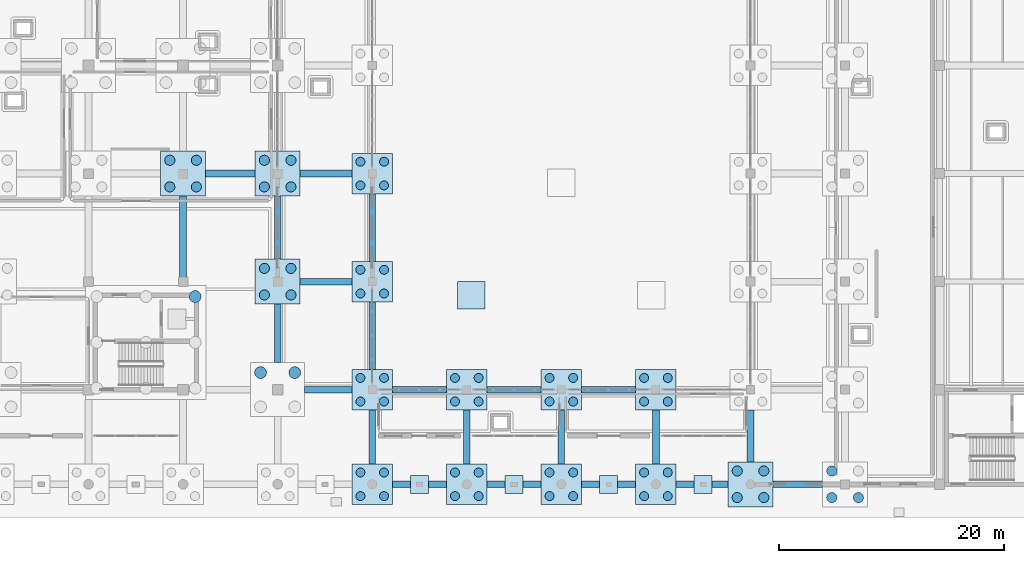
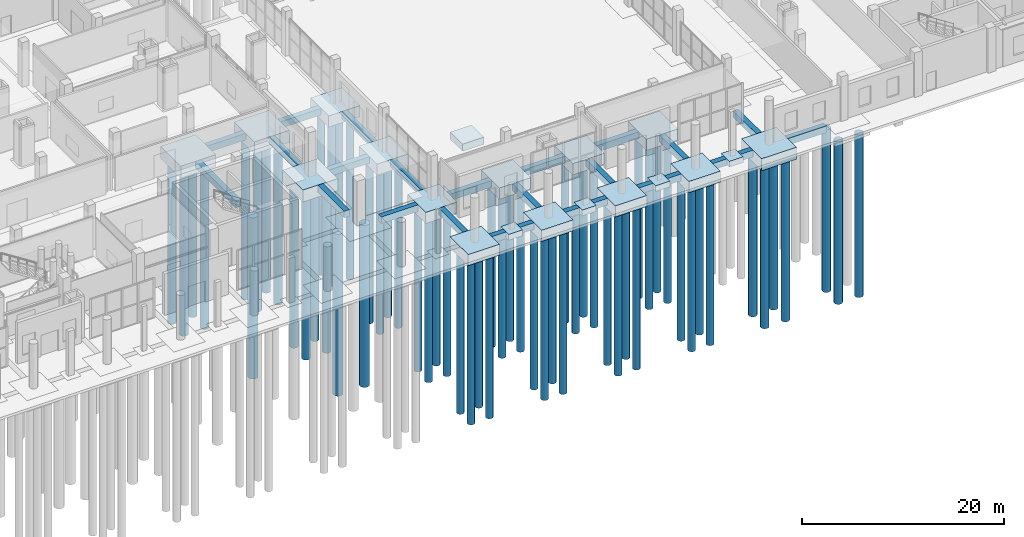
# One storey, part 4 of 65: 62 piles, 41 footings.
"""IFC4 building model written with IfcOpenShell, lengths in metres."""

import ifcopenshell
import ifcopenshell.guid

model = None  # the IFC model being written
_history = None  # IfcOwnerHistory: only IFC2X3 demands one
_inside = {}  # id of a spatial element -> (the spatial element, [elements in it])
_under = {}  # id of a project, library or spatial element -> (it, [spatial elements below it])
_declared = {}  # id of a project -> (the project, [libraries it declares])
_typed = {}  # id of a type object -> (the type object, [elements of that type])
_made_of = {}  # id of a material, layer set ... -> (it, [elements and type objects made of it])


def new_model(schema):
    """Start an empty IFC model of exactly this schema.

    Asked for "IFC4X3", IfcOpenShell would pick the latest addendum, in which some entities
    have other attributes; the version numbers below select the first issue.
    IFC2X3 requires an IfcOwnerHistory on every rooted entity: one is made here for all.
    """
    global model, _history
    if schema == "IFC4X3":
        model = ifcopenshell.file(schema_version=(4, 3, 0, 0))
    else:
        model = ifcopenshell.file(schema=schema)
    _inside.clear()
    _under.clear()
    _declared.clear()
    _typed.clear()
    _made_of.clear()
    _history = None
    if model.schema == "IFC2X3":
        org = make("IfcOrganization", Name="unknown")
        user = make(
            "IfcPersonAndOrganization",
            ThePerson=make("IfcPerson", FamilyName="unknown"),
            TheOrganization=org,
        )
        app = make(
            "IfcApplication",
            ApplicationDeveloper=org,
            Version="unknown",
            ApplicationFullName="unknown",
            ApplicationIdentifier="unknown",
        )
        _history = make(
            "IfcOwnerHistory",
            OwningUser=user,
            OwningApplication=app,
            ChangeAction="ADDED",
            CreationDate=0,
        )
    return model


def make(cls, **values):
    """One entity of the class cls with the attributes given. An attribute that is None is left unset."""
    return model.create_entity(
        cls, **{name: value for name, value in values.items() if value is not None}
    )


def rooted(cls, **values):
    """An entity with a GlobalId (a new one), such as an element, a storey or a relation."""
    return make(cls, GlobalId=ifcopenshell.guid.new(), OwnerHistory=_history, **values)


def si_unit(unit_type, name, prefix=None):
    """IfcSIUnit, for example si_unit("LENGTHUNIT", "METRE", prefix="MILLI")."""
    return make("IfcSIUnit", UnitType=unit_type, Prefix=prefix, Name=name)


def assignment(units):
    """IfcUnitAssignment: the units of a project."""
    return None if units is None else make("IfcUnitAssignment", Units=units)


def point(xyz):
    """IfcCartesianPoint."""
    return None if xyz is None else make("IfcCartesianPoint", Coordinates=xyz)


def direction(xyz):
    """IfcDirection."""
    return None if xyz is None else make("IfcDirection", DirectionRatios=xyz)


def frame(location, z_axis=None, x_axis=None):
    """IfcAxis2Placement3D, a coordinate frame: its origin and axes. An axis left out is left unset."""
    return make(
        "IfcAxis2Placement3D",
        Location=point(location),
        Axis=direction(z_axis),
        RefDirection=direction(x_axis),
    )


def frame_2d(location, x_axis=None):
    """IfcAxis2Placement2D, a coordinate frame in the plane: its origin and x axis."""
    return make(
        "IfcAxis2Placement2D", Location=point(location), RefDirection=direction(x_axis)
    )


def origin():
    """The frame at (0, 0, 0) with its axes left unset."""
    return frame((0.0, 0.0, 0.0))


def origin_2d():
    """The frame at (0, 0) in the plane with its x axis left unset."""
    return frame_2d((0.0, 0.0))


def place(relative_to, where):
    """IfcLocalPlacement: puts the frame where relative to a parent placement (None: the world)."""
    return make(
        "IfcLocalPlacement", PlacementRelTo=relative_to, RelativePlacement=where
    )


def context(
    kind, dimensions, precision=None, world=None, true_north=None, identifier=None
):
    """IfcGeometricRepresentationContext, for example the 3D "Model" context."""
    return make(
        "IfcGeometricRepresentationContext",
        ContextIdentifier=identifier,
        ContextType=kind,
        CoordinateSpaceDimension=dimensions,
        Precision=precision,
        WorldCoordinateSystem=world,
        TrueNorth=true_north,
    )


def subcontext(parent, identifier, kind, view, scale=None):
    """IfcGeometricRepresentationSubContext, for example "Body" below "Model"."""
    return make(
        "IfcGeometricRepresentationSubContext",
        ContextIdentifier=identifier,
        ContextType=kind,
        ParentContext=parent,
        TargetScale=scale,
        TargetView=view,
    )


def project(units=None, contexts=None):
    """IfcProject with its units and contexts."""
    return rooted(
        "IfcProject",
        Name="project",
        RepresentationContexts=contexts,
        UnitsInContext=assignment(units),
    )


def spatial(cls, under=None, at=None, **own):
    """A site, building, storey or space (cls), placed at a placement, below another one or the project."""
    s = rooted(cls, ObjectPlacement=at, **own)
    if under is not None:
        _under.setdefault(under.id(), (under, []))[1].append(s)
    return s


def polyline(points):
    """IfcPolyline through the points."""
    return make("IfcPolyline", Points=[point(p) for p in points])


def profile(cls, at=None, kind="AREA", **sizes):
    """A parametric profile (cls). Its sizes go by their IFC names, for example OverallWidth=200.0."""
    return make(cls, ProfileType=kind, Position=at, **sizes)


def circle(**sizes):
    """IfcCircleProfileDef."""
    return profile("IfcCircleProfileDef", **sizes)


def outline(outer, holes=None, kind="AREA"):
    """IfcArbitraryClosedProfileDef: a profile drawn as a closed curve; with holes, ...WithVoids."""
    if holes is None:
        return make("IfcArbitraryClosedProfileDef", ProfileType=kind, OuterCurve=outer)
    return make(
        "IfcArbitraryProfileDefWithVoids",
        ProfileType=kind,
        OuterCurve=outer,
        InnerCurves=holes,
    )


def extrude(swept, where, along, depth):
    """IfcExtrudedAreaSolid: the profile swept, set in the frame where, extruded along a direction by depth."""
    return make(
        "IfcExtrudedAreaSolid",
        SweptArea=swept,
        Position=where,
        ExtrudedDirection=direction(along),
        Depth=depth,
    )


def shape(context_of_items, identifier, shape_type, items):
    """IfcShapeRepresentation: the items that make up one representation, for example the "Body"."""
    return make(
        "IfcShapeRepresentation",
        ContextOfItems=context_of_items,
        RepresentationIdentifier=identifier,
        RepresentationType=shape_type,
        Items=items,
    )


def material(Name=None, Category=None):
    """IfcMaterial."""
    return make("IfcMaterial", Name=Name, Category=Category)


def layer(
    of_material, thickness, ventilated=None, Name=None, Category=None, Priority=None
):
    """IfcMaterialLayer: one layer of a wall or slab, of a material (None: an air gap)."""
    return make(
        "IfcMaterialLayer",
        Material=of_material,
        LayerThickness=thickness,
        IsVentilated=ventilated,
        Name=Name,
        Category=Category,
        Priority=Priority,
    )


def layer_set(layers, Name=None):
    """IfcMaterialLayerSet."""
    return make("IfcMaterialLayerSet", MaterialLayers=layers, LayerSetName=Name)


def material_profile(
    of_material, cross_section, Name=None, Category=None, Priority=None
):
    """IfcMaterialProfile: a cross section and its material."""
    return make(
        "IfcMaterialProfile",
        Name=Name,
        Material=of_material,
        Profile=cross_section,
        Priority=Priority,
        Category=Category,
    )


def profile_set(profiles, Name=None, composite=None):
    """IfcMaterialProfileSet."""
    return make(
        "IfcMaterialProfileSet",
        Name=Name,
        MaterialProfiles=profiles,
        CompositeProfile=composite,
    )


def made_of(thing, what):
    """Note that an element or type object is made of a material, layer set ...; save() writes the relation."""
    if what is not None:
        _made_of.setdefault(what.id(), (what, []))[1].append(thing)
    return thing


def type_object(cls, material=None, **own):
    """A type object (cls), such as IfcWallType, which elements share."""
    return made_of(rooted(cls, **own), material)


def element(
    cls,
    number,
    at=None,
    inside=None,
    cuts=None,
    type_object=None,
    material=None,
    context=None,
    identifier="Body",
    shape_type=None,
    held_by="IfcProductDefinitionShape",
    body=None,
    shapes=None,
    **own,
):
    """One element of the class cls, such as IfcWall. Its Tag is "e" and its number.

    at: its placement. inside: the storey or other place that contains it. cuts: it is an
    opening in that element (IfcRelVoidsElement). A single representation is given by context,
    identifier, shape_type and body (its items); several are given by shapes. held_by: the class
    of the entity that holds the representations. save() writes the other relations.
    """
    e = rooted(cls, Tag="e%d" % number, ObjectPlacement=at, **own)
    if body is not None:
        shapes = [shape(context, identifier, shape_type, body)]
    if shapes is not None:
        e.Representation = make(held_by, Representations=shapes)
    if inside is not None:
        _inside.setdefault(inside.id(), (inside, []))[1].append(e)
    if cuts is not None:
        rooted(
            "IfcRelVoidsElement", RelatingBuildingElement=cuts, RelatedOpeningElement=e
        )
    if type_object is not None:
        _typed.setdefault(type_object.id(), (type_object, []))[1].append(e)
    return made_of(e, material)


def aggregate(whole, parts):
    """IfcRelAggregates: a whole, such as a stair, and the parts it consists of."""
    return rooted("IfcRelAggregates", RelatingObject=whole, RelatedObjects=parts)


def save(model, path):
    """Write the relations noted so far, then the file.

    IfcRelAggregates (storeys below a building ...), IfcRelContainedInSpatialStructure (elements
    in a storey), IfcRelDefinesByType, IfcRelAssociatesMaterial and IfcRelDeclares: one each for
    every whole, place, type object, material and project.
    """
    for whole, parts in _under.values():
        aggregate(whole, parts)
    for where, things in _inside.values():
        rooted(
            "IfcRelContainedInSpatialStructure",
            RelatedElements=things,
            RelatingStructure=where,
        )
    for kind, things in _typed.values():
        rooted("IfcRelDefinesByType", RelatedObjects=things, RelatingType=kind)
    for what, things in _made_of.values():
        rooted("IfcRelAssociatesMaterial", RelatedObjects=things, RelatingMaterial=what)
    for by, libraries in _declared.values():
        rooted("IfcRelDeclares", RelatingContext=by, RelatedDefinitions=libraries)
    model.write(path)


model = new_model("IFC4")

# Units and contexts
model_context = context("Model", 3, precision=1e-05, world=origin(), true_north=direction((0.0, 1.0)))
body_context = subcontext(model_context, "Body", "Model", "MODEL_VIEW")
ifc_project = project(units=[si_unit("LENGTHUNIT", "METRE"), si_unit("AREAUNIT", "SQUARE_METRE"), si_unit("VOLUMEUNIT", "CUBIC_METRE"), si_unit("PLANEANGLEUNIT", "RADIAN"), si_unit("MASSUNIT", "GRAM", prefix="KILO")], contexts=[model_context])

# Site, building, storey
site_placement = place(None, origin())
site = spatial("IfcSite", under=ifc_project, at=site_placement, CompositionType="ELEMENT")
building_placement = place(site_placement, origin())
building = spatial("IfcBuilding", under=site, at=building_placement, Name="Zulmaris Art Gallery", CompositionType="ELEMENT")
storey_placement = place(building_placement, origin())
storey = spatial("IfcBuildingStorey", under=building, at=storey_placement, Name="L00", CompositionType="ELEMENT", Elevation=0.0)

# Footings
ifc_material = material(Name="Concrete C40/50", Category="concrete")
ifc_layer_1 = layer(ifc_material, 0.800048828125)
ifc_layer_set_1 = layer_set([ifc_layer_1], Name="Concrete C40/50")
footing_type_1 = type_object("IfcFootingType", Name="FTG-GB01", PredefinedType="FOOTING_BEAM", material=ifc_layer_set_1)
footing_1_placement = place(storey_placement, frame((0.0, 0.0, -0.800048828125)))
element("IfcFooting", 1, at=footing_1_placement, inside=storey, type_object=footing_type_1, Name="L00 ground tie beam X", PredefinedType="FOOTING_BEAM", context=body_context, shape_type="SweptSolid", body=[
    extrude(outline(polyline([(93.0, 12.89990234375), (97.800048828125, 12.89990234375), (97.800048828125, 13.5), (93.0, 13.5), (93.0, 12.89990234375)])), origin(), (0.0, 0.0, 1.0), 0.800048828125),
])
footing_2_placement = place(storey_placement, frame((0.0, 0.0, -0.800048828125)))
element("IfcFooting", 2, at=footing_2_placement, inside=storey, type_object=footing_type_1, Name="L00 ground tie beam X", PredefinedType="FOOTING_BEAM", context=body_context, shape_type="SweptSolid", body=[
    extrude(outline(polyline([(101.39990234375, 12.89990234375), (106.199951171875, 12.89990234375), (106.199951171875, 13.5), (101.39990234375, 13.5), (101.39990234375, 12.89990234375)])), origin(), (0.0, 0.0, 1.0), 0.800048828125),
])
footing_3_placement = place(storey_placement, frame((0.0, 0.0, -0.800048828125)))
element("IfcFooting", 3, at=footing_3_placement, inside=storey, type_object=footing_type_1, Name="L00 ground tie beam X", PredefinedType="FOOTING_BEAM", context=body_context, shape_type="SweptSolid", body=[
    extrude(outline(polyline([(109.800048828125, 12.89990234375), (114.60009765625, 12.89990234375), (114.60009765625, 13.5), (109.800048828125, 13.5), (109.800048828125, 12.89990234375)])), origin(), (0.0, 0.0, 1.0), 0.800048828125),
])
footing_4_placement = place(storey_placement, frame((0.0, 0.0, -0.800048828125)))
element("IfcFooting", 4, at=footing_4_placement, inside=storey, type_object=footing_type_1, Name="L00 ground tie beam X", PredefinedType="FOOTING_BEAM", context=body_context, shape_type="SweptSolid", body=[
    extrude(outline(polyline([(118.199951171875, 12.89990234375), (122.800048828125, 12.89990234375), (122.800048828125, 13.5), (118.199951171875, 13.5), (118.199951171875, 12.89990234375)])), origin(), (0.0, 0.0, 1.0), 0.800048828125),
])
footing_5_placement = place(storey_placement, frame((0.0, 0.0, -0.800048828125)))
element("IfcFooting", 5, at=footing_5_placement, inside=storey, type_object=footing_type_1, Name="L00 ground tie beam X", PredefinedType="FOOTING_BEAM", context=body_context, shape_type="SweptSolid", body=[
    extrude(outline(polyline([(126.800048828125, 12.89990234375), (131.199951171875, 12.89990234375), (131.199951171875, 13.5), (126.800048828125, 13.5), (126.800048828125, 12.89990234375)])), origin(), (0.0, 0.0, 1.0), 0.800048828125),
])
footing_6_placement = place(storey_placement, frame((0.0, 0.0, -0.800048828125)))
element("IfcFooting", 6, at=footing_6_placement, inside=storey, type_object=footing_type_1, Name="L00 ground tie beam X", PredefinedType="FOOTING_BEAM", context=body_context, shape_type="SweptSolid", body=[
    extrude(outline(polyline([(85.199951171875, 21.300048828125), (89.39990234375, 21.300048828125), (89.39990234375, 21.89990234375), (85.199951171875, 21.89990234375), (85.199951171875, 21.300048828125)])), origin(), (0.0, 0.0, 1.0), 0.800048828125),
])
footing_7_placement = place(storey_placement, frame((0.0, 0.0, -0.800048828125)))
element("IfcFooting", 7, at=footing_7_placement, inside=storey, type_object=footing_type_1, Name="L00 ground tie beam X", PredefinedType="FOOTING_BEAM", context=body_context, shape_type="SweptSolid", body=[
    extrude(outline(polyline([(93.0, 21.300048828125), (97.800048828125, 21.300048828125), (97.800048828125, 21.89990234375), (93.0, 21.89990234375), (93.0, 21.300048828125)])), origin(), (0.0, 0.0, 1.0), 0.800048828125),
])
footing_8_placement = place(storey_placement, frame((0.0, 0.0, -0.800048828125)))
element("IfcFooting", 8, at=footing_8_placement, inside=storey, type_object=footing_type_1, Name="L00 ground tie beam X", PredefinedType="FOOTING_BEAM", context=body_context, shape_type="SweptSolid", body=[
    extrude(outline(polyline([(101.39990234375, 21.300048828125), (106.199951171875, 21.300048828125), (106.199951171875, 21.89990234375), (101.39990234375, 21.89990234375), (101.39990234375, 21.300048828125)])), origin(), (0.0, 0.0, 1.0), 0.800048828125),
])
footing_9_placement = place(storey_placement, frame((0.0, 0.0, -0.800048828125)))
element("IfcFooting", 9, at=footing_9_placement, inside=storey, type_object=footing_type_1, Name="L00 ground tie beam X", PredefinedType="FOOTING_BEAM", context=body_context, shape_type="SweptSolid", body=[
    extrude(outline(polyline([(109.800048828125, 21.300048828125), (114.60009765625, 21.300048828125), (114.60009765625, 21.89990234375), (109.800048828125, 21.89990234375), (109.800048828125, 21.300048828125)])), origin(), (0.0, 0.0, 1.0), 0.800048828125),
])
footing_10_placement = place(storey_placement, frame((0.0, 0.0, -0.800048828125)))
element("IfcFooting", 10, at=footing_10_placement, inside=storey, type_object=footing_type_1, Name="L00 ground tie beam X", PredefinedType="FOOTING_BEAM", context=body_context, shape_type="SweptSolid", body=[
    extrude(outline(polyline([(84.800048828125, 30.89990234375), (89.39990234375, 30.89990234375), (89.39990234375, 31.5), (84.800048828125, 31.5), (84.800048828125, 30.89990234375)])), origin(), (0.0, 0.0, 1.0), 0.800048828125),
])
footing_11_placement = place(storey_placement, frame((0.0, 0.0, -0.800048828125)))
element("IfcFooting", 11, at=footing_11_placement, inside=storey, type_object=footing_type_1, Name="L00 ground tie beam X", PredefinedType="FOOTING_BEAM", context=body_context, shape_type="SweptSolid", body=[
    extrude(outline(polyline([(76.39990234375, 40.5), (80.800048828125, 40.5), (80.800048828125, 41.10009765625), (76.39990234375, 41.10009765625), (76.39990234375, 40.5)])), origin(), (0.0, 0.0, 1.0), 0.800048828125),
])
footing_12_placement = place(storey_placement, frame((0.0, 0.0, -0.800048828125)))
element("IfcFooting", 12, at=footing_12_placement, inside=storey, type_object=footing_type_1, Name="L00 ground tie beam X", PredefinedType="FOOTING_BEAM", context=body_context, shape_type="SweptSolid", body=[
    extrude(outline(polyline([(84.800048828125, 40.5), (89.39990234375, 40.5), (89.39990234375, 41.10009765625), (84.800048828125, 41.10009765625), (84.800048828125, 40.5)])), origin(), (0.0, 0.0, 1.0), 0.800048828125),
])
footing_13_placement = place(storey_placement, frame((0.0, 0.0, -0.800048828125)))
element("IfcFooting", 13, at=footing_13_placement, inside=storey, type_object=footing_type_1, Name="L00 ground tie beam Y", PredefinedType="FOOTING_BEAM", context=body_context, shape_type="SweptSolid", body=[
    extrude(outline(polyline([(74.10009765625, 30.85009765625), (74.699951171875, 30.85009765625), (74.699951171875, 38.800048828125), (74.10009765625, 38.800048828125), (74.10009765625, 30.85009765625)])), origin(), (0.0, 0.0, 1.0), 0.800048828125),
])
footing_14_placement = place(storey_placement, frame((0.0, 0.0, -0.800048828125)))
element("IfcFooting", 14, at=footing_14_placement, inside=storey, type_object=footing_type_1, Name="L00 ground tie beam Y", PredefinedType="FOOTING_BEAM", context=body_context, shape_type="SweptSolid", body=[
    extrude(outline(polyline([(82.5, 24.0), (83.10009765625, 24.0), (83.10009765625, 29.199951171875), (82.5, 29.199951171875), (82.5, 24.0)])), origin(), (0.0, 0.0, 1.0), 0.800048828125),
])
footing_15_placement = place(storey_placement, frame((0.0, 0.0, -0.800048828125)))
element("IfcFooting", 15, at=footing_15_placement, inside=storey, type_object=footing_type_1, Name="L00 ground tie beam Y", PredefinedType="FOOTING_BEAM", context=body_context, shape_type="SweptSolid", body=[
    extrude(outline(polyline([(82.5, 33.199951171875), (83.10009765625, 33.199951171875), (83.10009765625, 38.800048828125), (82.5, 38.800048828125), (82.5, 33.199951171875)])), origin(), (0.0, 0.0, 1.0), 0.800048828125),
])
footing_16_placement = place(storey_placement, frame((0.0, 0.0, -0.800048828125)))
element("IfcFooting", 16, at=footing_16_placement, inside=storey, type_object=footing_type_1, Name="L00 ground tie beam Y", PredefinedType="FOOTING_BEAM", context=body_context, shape_type="SweptSolid", body=[
    extrude(outline(polyline([(90.89990234375, 15.0), (91.5, 15.0), (91.5, 19.800048828125), (90.89990234375, 19.800048828125), (90.89990234375, 15.0)])), origin(), (0.0, 0.0, 1.0), 0.800048828125),
])
footing_17_placement = place(storey_placement, frame((0.0, 0.0, -0.800048828125)))
element("IfcFooting", 17, at=footing_17_placement, inside=storey, type_object=footing_type_1, Name="L00 ground tie beam Y", PredefinedType="FOOTING_BEAM", context=body_context, shape_type="SweptSolid", body=[
    extrude(outline(polyline([(90.89990234375, 23.39990234375), (91.5, 23.39990234375), (91.5, 29.39990234375), (90.89990234375, 29.39990234375), (90.89990234375, 23.39990234375)])), origin(), (0.0, 0.0, 1.0), 0.800048828125),
])
footing_18_placement = place(storey_placement, frame((0.0, 0.0, -0.800048828125)))
element("IfcFooting", 18, at=footing_18_placement, inside=storey, type_object=footing_type_1, Name="L00 ground tie beam Y", PredefinedType="FOOTING_BEAM", context=body_context, shape_type="SweptSolid", body=[
    extrude(outline(polyline([(90.89990234375, 33.0), (91.5, 33.0), (91.5, 39.0), (90.89990234375, 39.0), (90.89990234375, 33.0)])), origin(), (0.0, 0.0, 1.0), 0.800048828125),
])
footing_19_placement = place(storey_placement, frame((0.0, 0.0, -0.800048828125)))
element("IfcFooting", 19, at=footing_19_placement, inside=storey, type_object=footing_type_1, Name="L00 ground tie beam Y", PredefinedType="FOOTING_BEAM", context=body_context, shape_type="SweptSolid", body=[
    extrude(outline(polyline([(99.300048828125, 15.0), (99.89990234375, 15.0), (99.89990234375, 19.800048828125), (99.300048828125, 19.800048828125), (99.300048828125, 15.0)])), origin(), (0.0, 0.0, 1.0), 0.800048828125),
])
footing_20_placement = place(storey_placement, frame((0.0, 0.0, -0.800048828125)))
element("IfcFooting", 20, at=footing_20_placement, inside=storey, type_object=footing_type_1, Name="L00 ground tie beam Y", PredefinedType="FOOTING_BEAM", context=body_context, shape_type="SweptSolid", body=[
    extrude(outline(polyline([(107.699951171875, 15.0), (108.300048828125, 15.0), (108.300048828125, 19.800048828125), (107.699951171875, 19.800048828125), (107.699951171875, 15.0)])), origin(), (0.0, 0.0, 1.0), 0.800048828125),
])
footing_21_placement = place(storey_placement, frame((0.0, 0.0, -0.800048828125)))
element("IfcFooting", 21, at=footing_21_placement, inside=storey, type_object=footing_type_1, Name="L00 ground tie beam Y", PredefinedType="FOOTING_BEAM", context=body_context, shape_type="SweptSolid", body=[
    extrude(outline(polyline([(116.10009765625, 15.0), (116.699951171875, 15.0), (116.699951171875, 19.800048828125), (116.10009765625, 19.800048828125), (116.10009765625, 15.0)])), origin(), (0.0, 0.0, 1.0), 0.800048828125),
])
footing_22_placement = place(storey_placement, frame((0.0, 0.0, -0.800048828125)))
element("IfcFooting", 22, at=footing_22_placement, inside=storey, type_object=footing_type_1, Name="L00 ground tie beam Y", PredefinedType="FOOTING_BEAM", context=body_context, shape_type="SweptSolid", body=[
    extrude(outline(polyline([(124.5, 15.199951171875), (125.10009765625, 15.199951171875), (125.10009765625, 19.800048828125), (124.5, 19.800048828125), (124.5, 15.199951171875)])), origin(), (0.0, 0.0, 1.0), 0.800048828125),
])
ifc_layer_2 = layer(ifc_material, 0.699951171875)
ifc_layer_set_2 = layer_set([ifc_layer_2], Name="Concrete C40/50")
footing_type_2 = type_object("IfcFootingType", Name="FTG-PAD01", PredefinedType="PAD_FOOTING", material=ifc_layer_set_2)
footing_23_placement = place(storey_placement, frame((0.0, 0.0, -0.699951171875)))
element("IfcFooting", 23, at=footing_23_placement, inside=storey, type_object=footing_type_2, Name="Colonnade pilaster footing 8", PredefinedType="PAD_FOOTING", context=body_context, shape_type="SweptSolid", body=[
    extrude(outline(polyline([(94.60009765625, 12.39990234375), (96.199951171875, 12.39990234375), (96.199951171875, 14.0), (94.60009765625, 14.0), (94.60009765625, 12.39990234375)])), origin(), (0.0, 0.0, 1.0), 0.699951171875),
])
footing_24_placement = place(storey_placement, frame((0.0, 0.0, -0.699951171875)))
element("IfcFooting", 24, at=footing_24_placement, inside=storey, type_object=footing_type_2, Name="Colonnade pilaster footing 9", PredefinedType="PAD_FOOTING", context=body_context, shape_type="SweptSolid", body=[
    extrude(outline(polyline([(103.0, 12.39990234375), (104.60009765625, 12.39990234375), (104.60009765625, 14.0), (103.0, 14.0), (103.0, 12.39990234375)])), origin(), (0.0, 0.0, 1.0), 0.699951171875),
])
footing_25_placement = place(storey_placement, frame((0.0, 0.0, -0.699951171875)))
element("IfcFooting", 25, at=footing_25_placement, inside=storey, type_object=footing_type_2, Name="Colonnade pilaster footing 10", PredefinedType="PAD_FOOTING", context=body_context, shape_type="SweptSolid", body=[
    extrude(outline(polyline([(111.39990234375, 12.39990234375), (113.0, 12.39990234375), (113.0, 14.0), (111.39990234375, 14.0), (111.39990234375, 12.39990234375)])), origin(), (0.0, 0.0, 1.0), 0.699951171875),
])
footing_26_placement = place(storey_placement, frame((0.0, 0.0, -0.699951171875)))
element("IfcFooting", 26, at=footing_26_placement, inside=storey, type_object=footing_type_2, Name="Colonnade pilaster footing 11", PredefinedType="PAD_FOOTING", context=body_context, shape_type="SweptSolid", body=[
    extrude(outline(polyline([(119.800048828125, 12.39990234375), (121.39990234375, 12.39990234375), (121.39990234375, 14.0), (119.800048828125, 14.0), (119.800048828125, 12.39990234375)])), origin(), (0.0, 0.0, 1.0), 0.699951171875),
])
ifc_layer_3 = layer(ifc_material, 0.85009765625)
ifc_layer_set_3 = layer_set([ifc_layer_3], Name="Concrete C40/50")
footing_type_3 = type_object("IfcFootingType", Name="FTG-PAD04", PredefinedType="PAD_FOOTING", material=ifc_layer_set_3)
footing_27_placement = place(storey_placement, frame((0.0, 0.0, -1.35009765625)))
element("IfcFooting", 27, at=footing_27_placement, inside=storey, type_object=footing_type_3, Name="Sculpture plinth pad footing 6", PredefinedType="PAD_FOOTING", context=body_context, shape_type="SweptSolid", body=[
    extrude(outline(polyline([(98.77490234375, 28.77490234375), (101.22509765625, 28.77490234375), (101.22509765625, 31.22509765625), (98.77490234375, 31.22509765625), (98.77490234375, 28.77490234375)])), origin(), (0.0, 0.0, 1.0), 0.85009765625),
])
ifc_layer_4 = layer(ifc_material, 1.35009765625)
ifc_layer_set_4 = layer_set([ifc_layer_4], Name="Concrete C40/50")
footing_type_4 = type_object("IfcFootingType", Name="FTG-PC01", PredefinedType="PILE_CAP", material=ifc_layer_set_4)
footing_28_placement = place(storey_placement, frame((0.0, 0.0, -1.35009765625)))
element("IfcFooting", 28, at=footing_28_placement, inside=storey, type_object=footing_type_4, Name="L00 pile cap PC01 at (91.2, 13.2)", PredefinedType="PILE_CAP", context=body_context, shape_type="SweptSolid", body=[
    extrude(outline(polyline([(89.39990234375, 11.39990234375), (93.0, 11.39990234375), (93.0, 15.0), (89.39990234375, 15.0), (89.39990234375, 11.39990234375)])), origin(), (0.0, 0.0, 1.0), 1.35009765625),
])
footing_29_placement = place(storey_placement, frame((0.0, 0.0, -1.35009765625)))
element("IfcFooting", 29, at=footing_29_placement, inside=storey, type_object=footing_type_4, Name="L00 pile cap PC01 at (91.2, 21.6)", PredefinedType="PILE_CAP", context=body_context, shape_type="SweptSolid", body=[
    extrude(outline(polyline([(89.39990234375, 19.800048828125), (93.0, 19.800048828125), (93.0, 23.39990234375), (89.39990234375, 23.39990234375), (89.39990234375, 19.800048828125)])), origin(), (0.0, 0.0, 1.0), 1.35009765625),
])
footing_30_placement = place(storey_placement, frame((0.0, 0.0, -1.35009765625)))
element("IfcFooting", 30, at=footing_30_placement, inside=storey, type_object=footing_type_4, Name="L00 pile cap PC01 at (91.2, 31.2)", PredefinedType="PILE_CAP", context=body_context, shape_type="SweptSolid", body=[
    extrude(outline(polyline([(89.39990234375, 29.39990234375), (93.0, 29.39990234375), (93.0, 33.0), (89.39990234375, 33.0), (89.39990234375, 29.39990234375)])), origin(), (0.0, 0.0, 1.0), 1.35009765625),
])
footing_31_placement = place(storey_placement, frame((0.0, 0.0, -1.35009765625)))
element("IfcFooting", 31, at=footing_31_placement, inside=storey, type_object=footing_type_4, Name="L00 pile cap PC01 at (91.2, 40.8)", PredefinedType="PILE_CAP", context=body_context, shape_type="SweptSolid", body=[
    extrude(outline(polyline([(89.39990234375, 39.0), (93.0, 39.0), (93.0, 42.60009765625), (89.39990234375, 42.60009765625), (89.39990234375, 39.0)])), origin(), (0.0, 0.0, 1.0), 1.35009765625),
])
footing_32_placement = place(storey_placement, frame((0.0, 0.0, -1.35009765625)))
element("IfcFooting", 32, at=footing_32_placement, inside=storey, type_object=footing_type_4, Name="L00 pile cap PC01 at (99.6, 13.2)", PredefinedType="PILE_CAP", context=body_context, shape_type="SweptSolid", body=[
    extrude(outline(polyline([(97.800048828125, 11.39990234375), (101.39990234375, 11.39990234375), (101.39990234375, 15.0), (97.800048828125, 15.0), (97.800048828125, 11.39990234375)])), origin(), (0.0, 0.0, 1.0), 1.35009765625),
])
footing_33_placement = place(storey_placement, frame((0.0, 0.0, -1.35009765625)))
element("IfcFooting", 33, at=footing_33_placement, inside=storey, type_object=footing_type_4, Name="L00 pile cap PC01 at (99.6, 21.6)", PredefinedType="PILE_CAP", context=body_context, shape_type="SweptSolid", body=[
    extrude(outline(polyline([(97.800048828125, 19.800048828125), (101.39990234375, 19.800048828125), (101.39990234375, 23.39990234375), (97.800048828125, 23.39990234375), (97.800048828125, 19.800048828125)])), origin(), (0.0, 0.0, 1.0), 1.35009765625),
])
footing_34_placement = place(storey_placement, frame((0.0, 0.0, -1.35009765625)))
element("IfcFooting", 34, at=footing_34_placement, inside=storey, type_object=footing_type_4, Name="L00 pile cap PC01 at (108.0, 13.2)", PredefinedType="PILE_CAP", context=body_context, shape_type="SweptSolid", body=[
    extrude(outline(polyline([(106.199951171875, 11.39990234375), (109.800048828125, 11.39990234375), (109.800048828125, 15.0), (106.199951171875, 15.0), (106.199951171875, 11.39990234375)])), origin(), (0.0, 0.0, 1.0), 1.35009765625),
])
footing_35_placement = place(storey_placement, frame((0.0, 0.0, -1.35009765625)))
element("IfcFooting", 35, at=footing_35_placement, inside=storey, type_object=footing_type_4, Name="L00 pile cap PC01 at (108.0, 21.6)", PredefinedType="PILE_CAP", context=body_context, shape_type="SweptSolid", body=[
    extrude(outline(polyline([(106.199951171875, 19.800048828125), (109.800048828125, 19.800048828125), (109.800048828125, 23.39990234375), (106.199951171875, 23.39990234375), (106.199951171875, 19.800048828125)])), origin(), (0.0, 0.0, 1.0), 1.35009765625),
])
footing_36_placement = place(storey_placement, frame((0.0, 0.0, -1.35009765625)))
element("IfcFooting", 36, at=footing_36_placement, inside=storey, type_object=footing_type_4, Name="L00 pile cap PC01 at (116.4, 13.2)", PredefinedType="PILE_CAP", context=body_context, shape_type="SweptSolid", body=[
    extrude(outline(polyline([(114.60009765625, 11.39990234375), (118.199951171875, 11.39990234375), (118.199951171875, 15.0), (114.60009765625, 15.0), (114.60009765625, 11.39990234375)])), origin(), (0.0, 0.0, 1.0), 1.35009765625),
])
footing_37_placement = place(storey_placement, frame((0.0, 0.0, -1.35009765625)))
element("IfcFooting", 37, at=footing_37_placement, inside=storey, type_object=footing_type_4, Name="L00 pile cap PC01 at (116.4, 21.6)", PredefinedType="PILE_CAP", context=body_context, shape_type="SweptSolid", body=[
    extrude(outline(polyline([(114.60009765625, 19.800048828125), (118.199951171875, 19.800048828125), (118.199951171875, 23.39990234375), (114.60009765625, 23.39990234375), (114.60009765625, 19.800048828125)])), origin(), (0.0, 0.0, 1.0), 1.35009765625),
])
ifc_layer_5 = layer(ifc_material, 1.449951171875)
ifc_layer_set_5 = layer_set([ifc_layer_5], Name="Concrete C40/50")
footing_type_5 = type_object("IfcFootingType", Name="FTG-PC02", PredefinedType="PILE_CAP", material=ifc_layer_set_5)
footing_38_placement = place(storey_placement, frame((0.0, 0.0, -1.449951171875)))
element("IfcFooting", 38, at=footing_38_placement, inside=storey, type_object=footing_type_5, Name="L00 pile cap PC02 at (74.4, 40.8)", PredefinedType="PILE_CAP", context=body_context, shape_type="SweptSolid", body=[
    extrude(outline(polyline([(72.39990234375, 38.800048828125), (76.39990234375, 38.800048828125), (76.39990234375, 42.800048828125), (72.39990234375, 42.800048828125), (72.39990234375, 38.800048828125)])), origin(), (0.0, 0.0, 1.0), 1.449951171875),
])
footing_39_placement = place(storey_placement, frame((0.0, 0.0, -1.449951171875)))
element("IfcFooting", 39, at=footing_39_placement, inside=storey, type_object=footing_type_5, Name="L00 pile cap PC02 at (82.8, 31.2)", PredefinedType="PILE_CAP", context=body_context, shape_type="SweptSolid", body=[
    extrude(outline(polyline([(80.800048828125, 29.199951171875), (84.800048828125, 29.199951171875), (84.800048828125, 33.199951171875), (80.800048828125, 33.199951171875), (80.800048828125, 29.199951171875)])), origin(), (0.0, 0.0, 1.0), 1.449951171875),
])
footing_40_placement = place(storey_placement, frame((0.0, 0.0, -1.449951171875)))
element("IfcFooting", 40, at=footing_40_placement, inside=storey, type_object=footing_type_5, Name="L00 pile cap PC02 at (82.8, 40.8)", PredefinedType="PILE_CAP", context=body_context, shape_type="SweptSolid", body=[
    extrude(outline(polyline([(80.800048828125, 38.800048828125), (84.800048828125, 38.800048828125), (84.800048828125, 42.800048828125), (80.800048828125, 42.800048828125), (80.800048828125, 38.800048828125)])), origin(), (0.0, 0.0, 1.0), 1.449951171875),
])
footing_41_placement = place(storey_placement, frame((0.0, 0.0, -1.449951171875)))
element("IfcFooting", 41, at=footing_41_placement, inside=storey, type_object=footing_type_5, Name="L00 pile cap PC02 at (124.8, 13.2)", PredefinedType="PILE_CAP", context=body_context, shape_type="SweptSolid", body=[
    extrude(outline(polyline([(122.800048828125, 11.199951171875), (126.800048828125, 11.199951171875), (126.800048828125, 15.199951171875), (122.800048828125, 15.199951171875), (122.800048828125, 11.199951171875)])), origin(), (0.0, 0.0, 1.0), 1.449951171875),
])

# Piles
ifc_material_profile_1 = material_profile(ifc_material, circle(Radius=0.52490234375, at=origin_2d()), Name="PILE DIA 1050")
ifc_profile_set_1 = profile_set([ifc_material_profile_1], Name="Concrete C40/50")
pile_type_1 = type_object("IfcPileType", Name="PILE-1050", PredefinedType="BORED", material=ifc_profile_set_1)
pile_placement = place(storey_placement, frame((75.47509765625, 29.875, -1.530029296875), z_axis=(0.0, 0.0, -1.0), x_axis=(1.0, 0.0, 0.0)))
element("IfcPile", 42, at=pile_placement, inside=storey, type_object=pile_type_1, Name="Core C2 bored pile 9", PredefinedType="BORED", context=body_context, shape_type="SweptSolid", body=[
    extrude(circle(Radius=0.52490234375, at=origin_2d()), origin(), (0.0, 0.0, 1.0), 19.469970703125),
])
for number, where, z_axis, x_axis, name in (
    (43, (81.280029296875, 23.1201171875, -1.449951171875), (0.0, 0.0, -1.0), (1.0, 0.0, 0.0), "L00 bored pile 3 under FTG-CAP-L00-0828-216"),
    (44, (84.320068359375, 23.1201171875, -1.449951171875), (0.0, 0.0, -1.0), (1.0, 0.0, 0.0), "L00 bored pile 4 under FTG-CAP-L00-0828-216"),
):
    element("IfcPile", number, at=place(storey_placement, frame(where, z_axis=z_axis, x_axis=x_axis)), inside=storey, type_object=pile_type_1, Name=name, PredefinedType="BORED", context=body_context, shape_type="SweptSolid", body=[
        extrude(circle(Radius=0.52490234375, at=origin_2d()), origin(), (0.0, 0.0, 1.0), 19.550048828125),
    ])
ifc_material_profile_2 = material_profile(ifc_material, circle(Radius=0.39990234375, at=origin_2d()), Name="PILE DIA 800")
ifc_profile_set_2 = profile_set([ifc_material_profile_2], Name="Concrete C40/50")
pile_type_2 = type_object("IfcPileType", Name="PILE-800", PredefinedType="BORED", material=ifc_profile_set_2)
for number, where, z_axis, x_axis, name in (
    (45, (90.14990234375, 12.14990234375, -1.25), (0.0, 0.0, -1.0), (1.0, 0.0, 0.0), "L00 bored pile 1 under FTG-CAP-L00-0912-132"),
    (46, (92.25, 12.14990234375, -1.25), (0.0, 0.0, -1.0), (1.0, 0.0, 0.0), "L00 bored pile 2 under FTG-CAP-L00-0912-132"),
    (47, (90.14990234375, 14.25, -1.25), (0.0, 0.0, -1.0), (1.0, 0.0, 0.0), "L00 bored pile 3 under FTG-CAP-L00-0912-132"),
    (48, (92.25, 14.25, -1.25), (0.0, 0.0, -1.0), (1.0, 0.0, 0.0), "L00 bored pile 4 under FTG-CAP-L00-0912-132"),
    (49, (90.14990234375, 20.550048828125, -1.25), (0.0, 0.0, -1.0), (1.0, 0.0, 0.0), "L00 bored pile 1 under FTG-CAP-L00-0912-216"),
    (50, (92.25, 20.550048828125, -1.25), (0.0, 0.0, -1.0), (1.0, 0.0, 0.0), "L00 bored pile 2 under FTG-CAP-L00-0912-216"),
    (51, (90.14990234375, 22.64990234375, -1.25), (0.0, 0.0, -1.0), (1.0, 0.0, 0.0), "L00 bored pile 3 under FTG-CAP-L00-0912-216"),
    (52, (92.25, 22.64990234375, -1.25), (0.0, 0.0, -1.0), (1.0, 0.0, 0.0), "L00 bored pile 4 under FTG-CAP-L00-0912-216"),
    (53, (90.14990234375, 30.14990234375, -1.25), (0.0, 0.0, -1.0), (1.0, 0.0, 0.0), "L00 bored pile 1 under FTG-CAP-L00-0912-312"),
    (54, (92.25, 30.14990234375, -1.25), (0.0, 0.0, -1.0), (1.0, 0.0, 0.0), "L00 bored pile 2 under FTG-CAP-L00-0912-312"),
    (55, (90.14990234375, 32.25, -1.25), (0.0, 0.0, -1.0), (1.0, 0.0, 0.0), "L00 bored pile 3 under FTG-CAP-L00-0912-312"),
    (56, (92.25, 32.25, -1.25), (0.0, 0.0, -1.0), (1.0, 0.0, 0.0), "L00 bored pile 4 under FTG-CAP-L00-0912-312"),
    (57, (90.14990234375, 39.75, -1.25), (0.0, 0.0, -1.0), (1.0, 0.0, 0.0), "L00 bored pile 1 under FTG-CAP-L00-0912-408"),
    (58, (92.25, 39.75, -1.25), (0.0, 0.0, -1.0), (1.0, 0.0, 0.0), "L00 bored pile 2 under FTG-CAP-L00-0912-408"),
    (59, (90.14990234375, 41.85009765625, -1.25), (0.0, 0.0, -1.0), (1.0, 0.0, 0.0), "L00 bored pile 3 under FTG-CAP-L00-0912-408"),
    (60, (92.25, 41.85009765625, -1.25), (0.0, 0.0, -1.0), (1.0, 0.0, 0.0), "L00 bored pile 4 under FTG-CAP-L00-0912-408"),
    (61, (98.550048828125, 12.14990234375, -1.25), (0.0, 0.0, -1.0), (1.0, 0.0, 0.0), "L00 bored pile 1 under FTG-CAP-L00-0996-132"),
    (62, (100.64990234375, 12.14990234375, -1.25), (0.0, 0.0, -1.0), (1.0, 0.0, 0.0), "L00 bored pile 2 under FTG-CAP-L00-0996-132"),
    (63, (98.550048828125, 14.25, -1.25), (0.0, 0.0, -1.0), (1.0, 0.0, 0.0), "L00 bored pile 3 under FTG-CAP-L00-0996-132"),
    (64, (100.64990234375, 14.25, -1.25), (0.0, 0.0, -1.0), (1.0, 0.0, 0.0), "L00 bored pile 4 under FTG-CAP-L00-0996-132"),
    (65, (98.550048828125, 20.550048828125, -1.25), (0.0, 0.0, -1.0), (1.0, 0.0, 0.0), "L00 bored pile 1 under FTG-CAP-L00-0996-216"),
    (66, (100.64990234375, 20.550048828125, -1.25), (0.0, 0.0, -1.0), (1.0, 0.0, 0.0), "L00 bored pile 2 under FTG-CAP-L00-0996-216"),
    (67, (98.550048828125, 22.64990234375, -1.25), (0.0, 0.0, -1.0), (1.0, 0.0, 0.0), "L00 bored pile 3 under FTG-CAP-L00-0996-216"),
    (68, (100.64990234375, 22.64990234375, -1.25), (0.0, 0.0, -1.0), (1.0, 0.0, 0.0), "L00 bored pile 4 under FTG-CAP-L00-0996-216"),
    (69, (106.949951171875, 12.14990234375, -1.25), (0.0, 0.0, -1.0), (1.0, 0.0, 0.0), "L00 bored pile 1 under FTG-CAP-L00-1080-132"),
    (70, (109.050048828125, 12.14990234375, -1.25), (0.0, 0.0, -1.0), (1.0, 0.0, 0.0), "L00 bored pile 2 under FTG-CAP-L00-1080-132"),
    (71, (106.949951171875, 14.25, -1.25), (0.0, 0.0, -1.0), (1.0, 0.0, 0.0), "L00 bored pile 3 under FTG-CAP-L00-1080-132"),
    (72, (109.050048828125, 14.25, -1.25), (0.0, 0.0, -1.0), (1.0, 0.0, 0.0), "L00 bored pile 4 under FTG-CAP-L00-1080-132"),
    (73, (106.949951171875, 20.550048828125, -1.25), (0.0, 0.0, -1.0), (1.0, 0.0, 0.0), "L00 bored pile 1 under FTG-CAP-L00-1080-216"),
    (74, (109.050048828125, 20.550048828125, -1.25), (0.0, 0.0, -1.0), (1.0, 0.0, 0.0), "L00 bored pile 2 under FTG-CAP-L00-1080-216"),
    (75, (106.949951171875, 22.64990234375, -1.25), (0.0, 0.0, -1.0), (1.0, 0.0, 0.0), "L00 bored pile 3 under FTG-CAP-L00-1080-216"),
    (76, (109.050048828125, 22.64990234375, -1.25), (0.0, 0.0, -1.0), (1.0, 0.0, 0.0), "L00 bored pile 4 under FTG-CAP-L00-1080-216"),
    (77, (115.35009765625, 12.14990234375, -1.25), (0.0, 0.0, -1.0), (1.0, 0.0, 0.0), "L00 bored pile 1 under FTG-CAP-L00-1164-132"),
    (78, (117.449951171875, 12.14990234375, -1.25), (0.0, 0.0, -1.0), (1.0, 0.0, 0.0), "L00 bored pile 2 under FTG-CAP-L00-1164-132"),
    (79, (115.35009765625, 14.25, -1.25), (0.0, 0.0, -1.0), (1.0, 0.0, 0.0), "L00 bored pile 3 under FTG-CAP-L00-1164-132"),
    (80, (117.449951171875, 14.25, -1.25), (0.0, 0.0, -1.0), (1.0, 0.0, 0.0), "L00 bored pile 4 under FTG-CAP-L00-1164-132"),
    (81, (115.35009765625, 20.550048828125, -1.25), (0.0, 0.0, -1.0), (1.0, 0.0, 0.0), "L00 bored pile 1 under FTG-CAP-L00-1164-216"),
    (82, (117.449951171875, 20.550048828125, -1.25), (0.0, 0.0, -1.0), (1.0, 0.0, 0.0), "L00 bored pile 2 under FTG-CAP-L00-1164-216"),
    (83, (115.35009765625, 22.64990234375, -1.25), (0.0, 0.0, -1.0), (1.0, 0.0, 0.0), "L00 bored pile 3 under FTG-CAP-L00-1164-216"),
    (84, (117.449951171875, 22.64990234375, -1.25), (0.0, 0.0, -1.0), (1.0, 0.0, 0.0), "L00 bored pile 4 under FTG-CAP-L00-1164-216"),
):
    element("IfcPile", number, at=place(storey_placement, frame(where, z_axis=z_axis, x_axis=x_axis)), inside=storey, type_object=pile_type_2, Name=name, PredefinedType="BORED", context=body_context, shape_type="SweptSolid", body=[
        extrude(circle(Radius=0.39990234375, at=origin_2d()), origin(), (0.0, 0.0, 1.0), 19.75),
    ])
ifc_material_profile_3 = material_profile(ifc_material, circle(Radius=0.449951171875, at=origin_2d()), Name="PILE DIA 900")
ifc_profile_set_3 = profile_set([ifc_material_profile_3], Name="Concrete C40/50")
pile_type_3 = type_object("IfcPileType", Name="PILE-900", PredefinedType="BORED", material=ifc_profile_set_3)
for number, where, z_axis, x_axis, name in (
    (85, (73.219970703125, 39.6201171875, -1.35009765625), (0.0, 0.0, -1.0), (1.0, 0.0, 0.0), "L00 bored pile 1 under FTG-CAP-L00-0744-408"),
    (86, (75.580078125, 39.6201171875, -1.35009765625), (0.0, 0.0, -1.0), (1.0, 0.0, 0.0), "L00 bored pile 2 under FTG-CAP-L00-0744-408"),
    (87, (73.219970703125, 41.97998046875, -1.35009765625), (0.0, 0.0, -1.0), (1.0, 0.0, 0.0), "L00 bored pile 3 under FTG-CAP-L00-0744-408"),
    (88, (75.580078125, 41.97998046875, -1.35009765625), (0.0, 0.0, -1.0), (1.0, 0.0, 0.0), "L00 bored pile 4 under FTG-CAP-L00-0744-408"),
    (89, (81.6201171875, 30.02001953125, -1.35009765625), (0.0, 0.0, -1.0), (1.0, 0.0, 0.0), "L00 bored pile 1 under FTG-CAP-L00-0828-312"),
    (90, (83.97998046875, 30.02001953125, -1.35009765625), (0.0, 0.0, -1.0), (1.0, 0.0, 0.0), "L00 bored pile 2 under FTG-CAP-L00-0828-312"),
    (91, (81.6201171875, 32.3798828125, -1.35009765625), (0.0, 0.0, -1.0), (1.0, 0.0, 0.0), "L00 bored pile 3 under FTG-CAP-L00-0828-312"),
    (92, (83.97998046875, 32.3798828125, -1.35009765625), (0.0, 0.0, -1.0), (1.0, 0.0, 0.0), "L00 bored pile 4 under FTG-CAP-L00-0828-312"),
    (93, (81.6201171875, 39.6201171875, -1.35009765625), (0.0, 0.0, -1.0), (1.0, 0.0, 0.0), "L00 bored pile 1 under FTG-CAP-L00-0828-408"),
    (94, (83.97998046875, 39.6201171875, -1.35009765625), (0.0, 0.0, -1.0), (1.0, 0.0, 0.0), "L00 bored pile 2 under FTG-CAP-L00-0828-408"),
    (95, (81.6201171875, 41.97998046875, -1.35009765625), (0.0, 0.0, -1.0), (1.0, 0.0, 0.0), "L00 bored pile 3 under FTG-CAP-L00-0828-408"),
    (96, (83.97998046875, 41.97998046875, -1.35009765625), (0.0, 0.0, -1.0), (1.0, 0.0, 0.0), "L00 bored pile 4 under FTG-CAP-L00-0828-408"),
    (97, (123.6201171875, 12.02001953125, -1.35009765625), (0.0, 0.0, -1.0), (1.0, 0.0, 0.0), "L00 bored pile 1 under FTG-CAP-L00-1248-132"),
    (98, (125.97998046875, 12.02001953125, -1.35009765625), (0.0, 0.0, -1.0), (1.0, 0.0, 0.0), "L00 bored pile 2 under FTG-CAP-L00-1248-132"),
    (99, (123.6201171875, 14.3798828125, -1.35009765625), (0.0, 0.0, -1.0), (1.0, 0.0, 0.0), "L00 bored pile 3 under FTG-CAP-L00-1248-132"),
    (100, (125.97998046875, 14.3798828125, -1.35009765625), (0.0, 0.0, -1.0), (1.0, 0.0, 0.0), "L00 bored pile 4 under FTG-CAP-L00-1248-132"),
    (101, (132.02001953125, 12.02001953125, -1.35009765625), (0.0, 0.0, -1.0), (1.0, 0.0, 0.0), "L00 bored pile 1 under FTG-CAP-L00-1332-132"),
    (102, (134.3798828125, 12.02001953125, -1.35009765625), (0.0, 0.0, -1.0), (1.0, 0.0, 0.0), "L00 bored pile 2 under FTG-CAP-L00-1332-132"),
    (103, (132.02001953125, 14.3798828125, -1.35009765625), (0.0, 0.0, -1.0), (1.0, 0.0, 0.0), "L00 bored pile 3 under FTG-CAP-L00-1332-132"),
):
    element("IfcPile", number, at=place(storey_placement, frame(where, z_axis=z_axis, x_axis=x_axis)), inside=storey, type_object=pile_type_3, Name=name, PredefinedType="BORED", context=body_context, shape_type="SweptSolid", body=[
        extrude(circle(Radius=0.449951171875, at=origin_2d()), origin(), (0.0, 0.0, 1.0), 19.64990234375),
    ])

save(model, "model.ifc")
